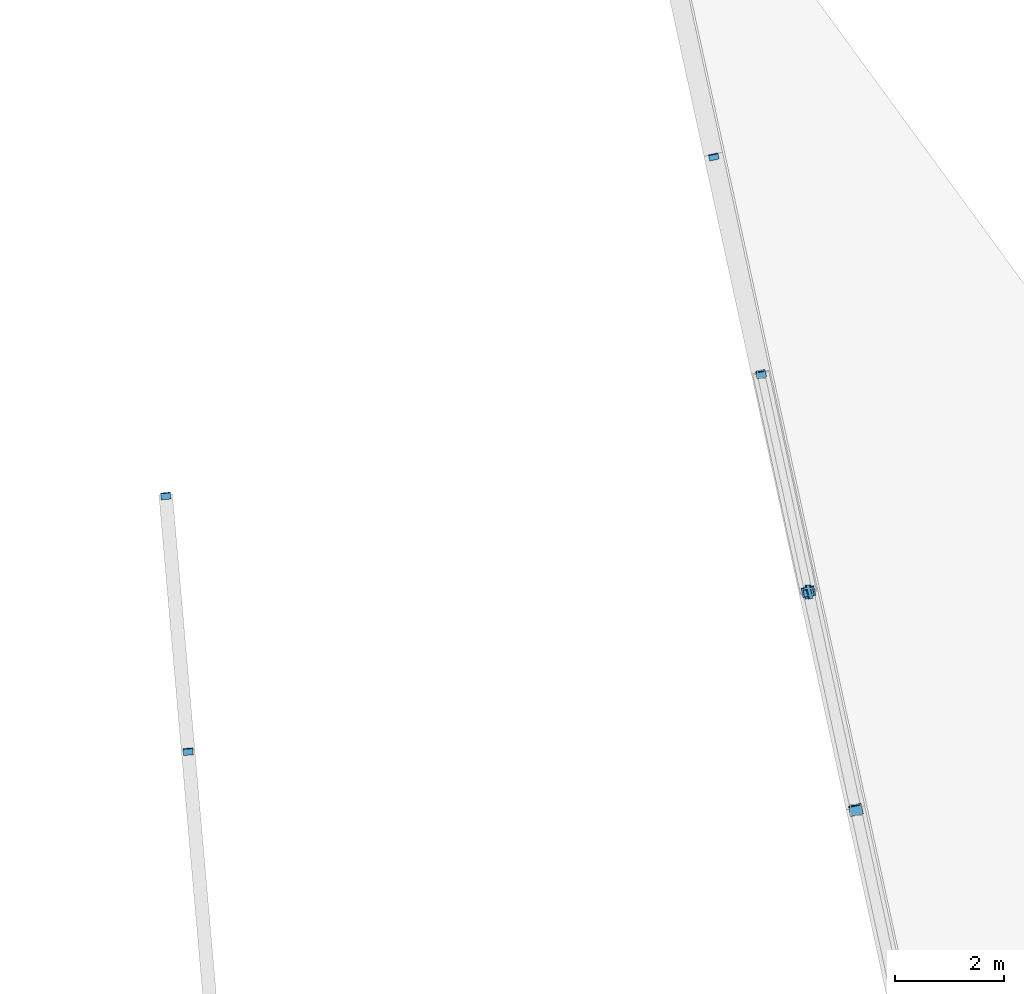
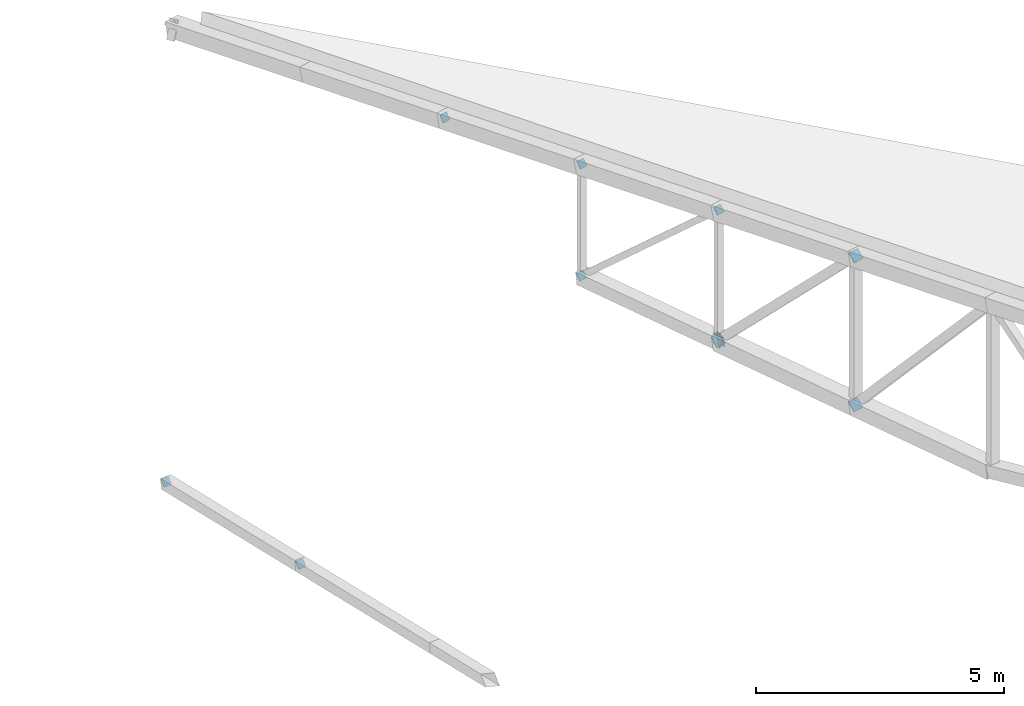
# One storey, part 132 of 188: 11 discrete accessories.
"""IFC4 building model written with IfcOpenShell, lengths in metres."""

from ifc_helpers import new_model, si_unit, direction, frame, origin, origin_2d, place, context, subcontext, project, spatial, rectangle, extrude, material, material_profile, profile_set, type_object, element, save


model = new_model("IFC4")

# Units and contexts
model_context = context("Model", 3, precision=1e-05, world=origin(), true_north=direction((0.0, 1.0)))
body_context = subcontext(model_context, "Body", "Model", "MODEL_VIEW")
ifc_project = project(units=[si_unit("LENGTHUNIT", "METRE"), si_unit("AREAUNIT", "SQUARE_METRE"), si_unit("VOLUMEUNIT", "CUBIC_METRE"), si_unit("PLANEANGLEUNIT", "RADIAN"), si_unit("MASSUNIT", "GRAM", prefix="KILO")], contexts=[model_context])

# Site, building, storey
site_placement = place(None, origin())
site = spatial("IfcSite", under=ifc_project, at=site_placement, CompositionType="ELEMENT")
building_placement = place(site_placement, origin())
building = spatial("IfcBuilding", under=site, at=building_placement, Name="Meseta Stadium", CompositionType="ELEMENT")
storey_placement = place(building_placement, frame((0.0, 0.0, 30.0)))
storey = spatial("IfcBuildingStorey", under=building, at=storey_placement, Name="ROOF", CompositionType="ELEMENT", Elevation=30.0)

# Discrete accessories
ifc_material_1 = material(Name="Steel S355", Category="steel")
ifc_material_profile_1 = material_profile(ifc_material_1, rectangle(XDim=0.179931640625, YDim=0.179931640625, at=origin_2d()), Name="PL 180x180")
ifc_profile_set_1 = profile_set([ifc_material_profile_1], Name="Steel S355")
discrete_accessory_type_1 = type_object("IfcDiscreteAccessoryType", Name="End plate 180x180x20", PredefinedType="ANCHORPLATE", material=ifc_profile_set_1)
for number, where, z_axis, x_axis, name in (
    (1, (6.045654296875, -80.103271484375, 1.03564453125), (0.073252483696, -0.769151078803, 0.634854858695), (0.995495472594, 0.094809092628, 0.0), "End plate of ROOF TRUSS RT-47 diagonal"),
    (2, (6.458251953125, -84.810546875, 1.72412109375), (0.061093841343, -0.769782400916, 0.635375949962), (0.996865392576, 0.079116300998, 0.0), "End plate of ROOF TRUSS RT-47 diagonal"),
    (3, (16.1357421875, -73.859130859375, 2.677978515625), (0.171447138138, -0.80825079408, 0.563326311025), (0.978234125102, 0.207504208355, 0.0), "End plate of ROOF TRUSS RT-48 diagonal"),
):
    element("IfcDiscreteAccessory", number, at=place(storey_placement, frame(where, z_axis=z_axis, x_axis=x_axis)), inside=storey, type_object=discrete_accessory_type_1, Name=name, PredefinedType="ANCHORPLATE", context=body_context, shape_type="SweptSolid", body=[
        extrude(rectangle(XDim=0.179931640625, YDim=0.179931640625, at=origin_2d()), origin(), (0.0, 0.0, 1.0), 0.02001953125),
    ])
discrete_accessory_1_placement = place(storey_placement, frame((17.008544921875, -77.870361328125, 3.67041015625), z_axis=(0.171795306879, -0.760807787608, 0.625825760774), x_axis=(0.975441002068, 0.220260871435, 0.0)))
element("IfcDiscreteAccessory", 4, at=discrete_accessory_1_placement, inside=storey, type_object=discrete_accessory_type_1, Name="End plate of ROOF TRUSS RT-48 diagonal", PredefinedType="ANCHORPLATE", context=body_context, shape_type="SweptSolid", body=[
    extrude(rectangle(XDim=0.179931640625, YDim=0.179931640625, at=origin_2d()), origin(), (0.0, 0.0, 1.0), 0.019775390625),
])
for number, where, z_axis, x_axis, name in (
    (5, (17.00537109375, -77.85595703125, 0.904296875), (0.159117415954, -0.722148272407, 0.673189067498), (0.976574948551, 0.215177531037, 0.0), "End plate of ROOF TRUSS RT-48 diagonal"),
    (6, (17.881591796875, -81.88134765625, 4.662841796875), (0.157717752991, -0.727928090727, 0.6672674165), (0.977323140027, 0.211753347006, 0.0), "End plate of ROOF TRUSS RT-48 diagonal"),
):
    element("IfcDiscreteAccessory", number, at=place(storey_placement, frame(where, z_axis=z_axis, x_axis=x_axis)), inside=storey, type_object=discrete_accessory_type_1, Name=name, PredefinedType="ANCHORPLATE", context=body_context, shape_type="SweptSolid", body=[
        extrude(rectangle(XDim=0.179931640625, YDim=0.179931640625, at=origin_2d()), origin(), (0.0, 0.0, 1.0), 0.02001953125),
    ])
ifc_material_2 = material(Name="Steel S355", Category="steel")
ifc_material_profile_2 = material_profile(ifc_material_2, rectangle(XDim=0.239990234375, YDim=0.239990234375, at=origin_2d()), Name="PL 240x240")
ifc_profile_set_2 = profile_set([ifc_material_profile_2], Name="Steel S355")
discrete_accessory_type_2 = type_object("IfcDiscreteAccessoryType", Name="End plate 240x240x20", PredefinedType="ANCHORPLATE", material=ifc_profile_set_2)
for number, where, z_axis, x_axis, name in (
    (7, (17.878662109375, -81.86767578125, 1.445068359375), (0.145940482608, -0.681055585504, 0.717540706156), (0.977802414077, 0.209529088731, 0.0), "End plate of ROOF TRUSS RT-48 diagonal"),
    (8, (18.754638671875, -85.892578125, 5.6552734375), (0.147219871444, -0.687026066737, 0.711562711977), (0.977802414077, 0.209529088731, 0.0), "End plate of ROOF TRUSS RT-48 diagonal"),
    (9, (18.751708984375, -85.879638671875, 1.986083984375), (0.146888618032, -0.648758062974, 0.746683808328), (0.975313298974, 0.220825652598, 0.0), "End plate of ROOF TRUSS RT-48 diagonal"),
):
    element("IfcDiscreteAccessory", number, at=place(storey_placement, frame(where, z_axis=z_axis, x_axis=x_axis)), inside=storey, type_object=discrete_accessory_type_2, Name=name, PredefinedType="ANCHORPLATE", context=body_context, shape_type="SweptSolid", body=[
        extrude(rectangle(XDim=0.239990234375, YDim=0.239990234375, at=origin_2d()), origin(), (0.0, 0.0, 1.0), 0.02001953125),
    ])
ifc_material_3 = material(Name="Steel S355", Category="steel")
ifc_material_profile_3 = material_profile(ifc_material_3, rectangle(XDim=0.260009765625, YDim=0.260009765625, at=origin_2d()), Name="PL 260x260")
ifc_profile_set_3 = profile_set([ifc_material_profile_3], Name="Steel S355")
discrete_accessory_type_3 = type_object("IfcDiscreteAccessoryType", Name="End plate 260x260x20", PredefinedType="ANCHORPLATE", material=ifc_profile_set_3)
discrete_accessory_2_placement = place(storey_placement, frame((17.881591796875, -81.88134765625, 1.45947265625), z_axis=(0.944163595731, 0.232975432713, 0.232975432713), x_axis=(-0.239567708184, 0.970879659482, 0.0)))
element("IfcDiscreteAccessory", 10, at=discrete_accessory_2_placement, inside=storey, type_object=discrete_accessory_type_3, Name="End plate of ROOF TRUSS STRUT RT-47/48", PredefinedType="ANCHORPLATE", context=body_context, shape_type="SweptSolid", body=[
    extrude(rectangle(XDim=0.260009765625, YDim=0.260009765625, at=origin_2d()), origin(), (0.0, 0.0, 1.0), 0.02001953125),
])
discrete_accessory_3_placement = place(storey_placement, frame((17.863037109375, -81.881591796875, 1.466552734375), z_axis=(0.934222259411, 0.01229239815, -0.356479546354), x_axis=(-0.01315675587, 0.999913446142, 0.0)))
element("IfcDiscreteAccessory", 11, at=discrete_accessory_3_placement, inside=storey, type_object=discrete_accessory_type_3, Name="End plate of ROOF TRUSS STRUT RT-48/49", PredefinedType="ANCHORPLATE", context=body_context, shape_type="SweptSolid", body=[
    extrude(rectangle(XDim=0.260009765625, YDim=0.260009765625, at=origin_2d()), origin(), (0.0, 0.0, 1.0), 0.019775390625),
])

save(model, "model.ifc")
